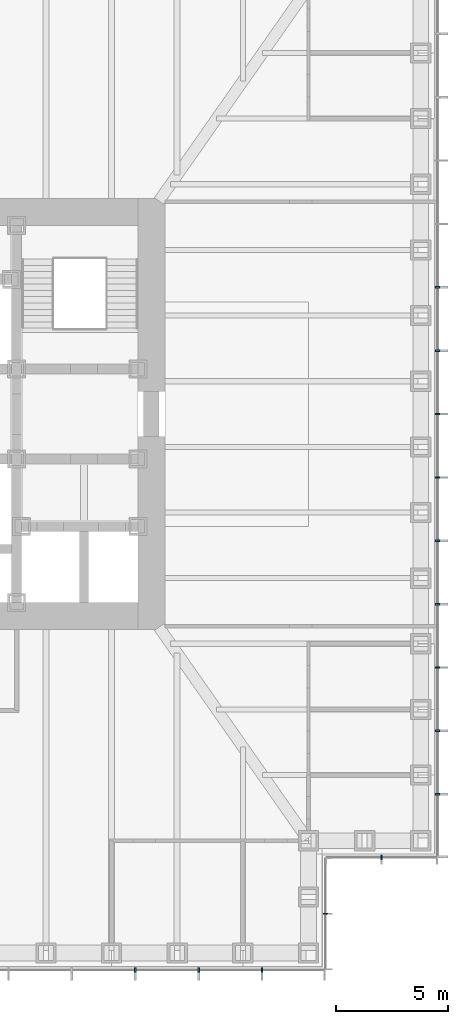
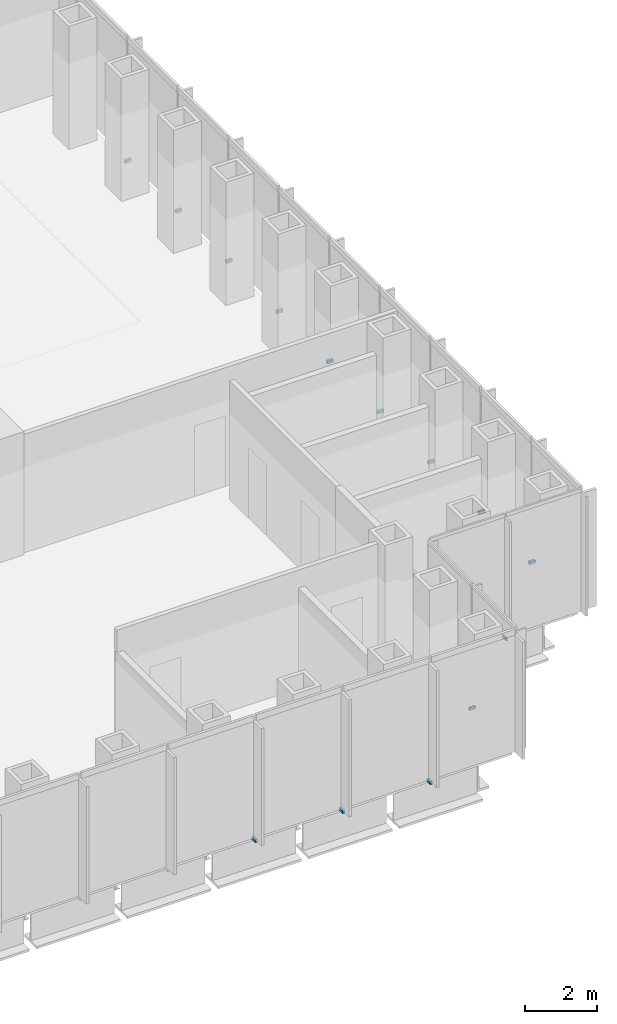
# One storey, part 14 of 17: 14 discrete accessories.
"""IFC4 building model written with IfcOpenShell, lengths in metres."""

from ifc_helpers import new_model, si_unit, direction, frame, origin, origin_2d, place, context, subcontext, project, spatial, rectangle, extrude, element, save


model = new_model("IFC4")

# Units and contexts
model_context = context("Model", 3, precision=1e-05, world=origin(), true_north=direction((0.0, 1.0)))
body_context = subcontext(model_context, "Body", "Model", "MODEL_VIEW")
ifc_project = project(units=[si_unit("LENGTHUNIT", "METRE"), si_unit("AREAUNIT", "SQUARE_METRE"), si_unit("VOLUMEUNIT", "CUBIC_METRE"), si_unit("PLANEANGLEUNIT", "RADIAN"), si_unit("MASSUNIT", "GRAM", prefix="KILO")], contexts=[model_context])

# Site, building, storey
site_placement = place(None, origin())
site = spatial("IfcSite", under=ifc_project, at=site_placement, CompositionType="ELEMENT")
building_placement = place(site_placement, origin())
building = spatial("IfcBuilding", under=site, at=building_placement, Name="Daluyong Arena Tower", CompositionType="ELEMENT")
storey_placement = place(building_placement, frame((0.0, 0.0, 89.5)))
storey = spatial("IfcBuildingStorey", under=building, at=storey_placement, Name="L19", CompositionType="ELEMENT", Elevation=89.5)

# Discrete accessories
for number, where, z_axis, x_axis, name in (
    (1, (67.28564453125, 55.25, -0.10009765625), (0.0, 0.0, 1.0), (1.0, 0.0, 0.0), "curtain wall L19 S anchor bracket 12"),
    (2, (70.107177734375, 55.25, -0.10009765625), (0.0, 0.0, 1.0), (1.0, 0.0, 0.0), "curtain wall L19 S anchor bracket 13"),
    (3, (72.928466796875, 55.25, -0.10009765625), (0.0, 0.0, 1.0), (1.0, 0.0, 0.0), "curtain wall L19 S anchor bracket 14"),
):
    element("IfcDiscreteAccessory", number, at=place(storey_placement, frame(where, z_axis=z_axis, x_axis=x_axis)), inside=storey, Name=name, PredefinedType="BRACKET", context=body_context, shape_type="SweptSolid", body=[
        extrude(rectangle(XDim=0.080078125, YDim=0.199951171875, at=origin_2d()), origin(), (0.0, 0.0, 1.0), 0.10009765625),
    ])
for number, where, z_axis, x_axis, name in (
    (4, (75.75, 57.75, -0.10009765625), (0.0, 0.0, 1.0), (0.0, 1.0, 0.0), "curtain wall L19 SE-E anchor bracket 2"),
    (5, (78.25, 60.25, -0.10009765625), (0.0, 0.0, 1.0), (1.0, 0.0, 0.0), "curtain wall L19 SE-S anchor bracket 2"),
):
    element("IfcDiscreteAccessory", number, at=place(storey_placement, frame(where, z_axis=z_axis, x_axis=x_axis)), inside=storey, Name=name, PredefinedType="BRACKET", context=body_context, shape_type="SweptSolid", body=[
        extrude(rectangle(XDim=0.06005859375, YDim=0.199951171875, at=origin_2d()), origin(), (0.0, 0.0, 1.0), 0.10009765625),
    ])
for number, where, z_axis, x_axis, name in (
    (6, (80.75, 63.071533203125, -0.10009765625), (0.0, 0.0, 1.0), (0.0, 1.0, 0.0), "curtain wall L19 E anchor bracket 2"),
    (7, (80.75, 65.892822265625, -0.10009765625), (0.0, 0.0, 1.0), (0.0, 1.0, 0.0), "curtain wall L19 E anchor bracket 3"),
    (8, (80.75, 68.71435546875, -0.10009765625), (0.0, 0.0, 1.0), (0.0, 1.0, 0.0), "curtain wall L19 E anchor bracket 4"),
    (9, (80.75, 71.53564453125, -0.10009765625), (0.0, 0.0, 1.0), (0.0, 1.0, 0.0), "curtain wall L19 E anchor bracket 5"),
    (10, (80.75, 74.357177734375, -0.10009765625), (0.0, 0.0, 1.0), (0.0, 1.0, 0.0), "curtain wall L19 E anchor bracket 6"),
    (11, (80.75, 77.178466796875, -0.10009765625), (0.0, 0.0, 1.0), (0.0, 1.0, 0.0), "curtain wall L19 E anchor bracket 7"),
    (12, (80.75, 80.0, -0.10009765625), (0.0, 0.0, 1.0), (0.0, 1.0, 0.0), "curtain wall L19 E anchor bracket 8"),
    (13, (80.75, 82.821533203125, -0.10009765625), (0.0, 0.0, 1.0), (0.0, 1.0, 0.0), "curtain wall L19 E anchor bracket 9"),
    (14, (80.75, 85.642822265625, -0.10009765625), (0.0, 0.0, 1.0), (0.0, 1.0, 0.0), "curtain wall L19 E anchor bracket 10"),
):
    element("IfcDiscreteAccessory", number, at=place(storey_placement, frame(where, z_axis=z_axis, x_axis=x_axis)), inside=storey, Name=name, PredefinedType="BRACKET", context=body_context, shape_type="SweptSolid", body=[
        extrude(rectangle(XDim=0.080078125, YDim=0.199951171875, at=origin_2d()), origin(), (0.0, 0.0, 1.0), 0.10009765625),
    ])

save(model, "model.ifc")
